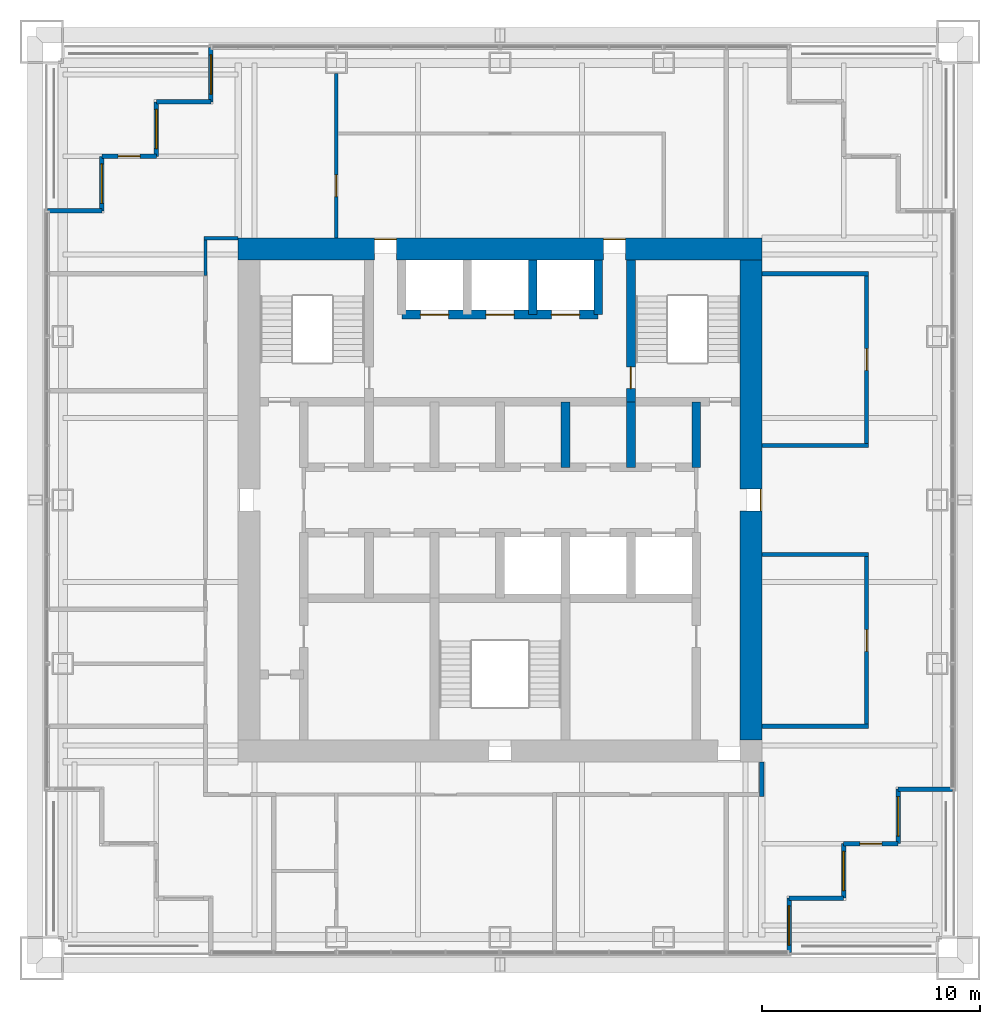
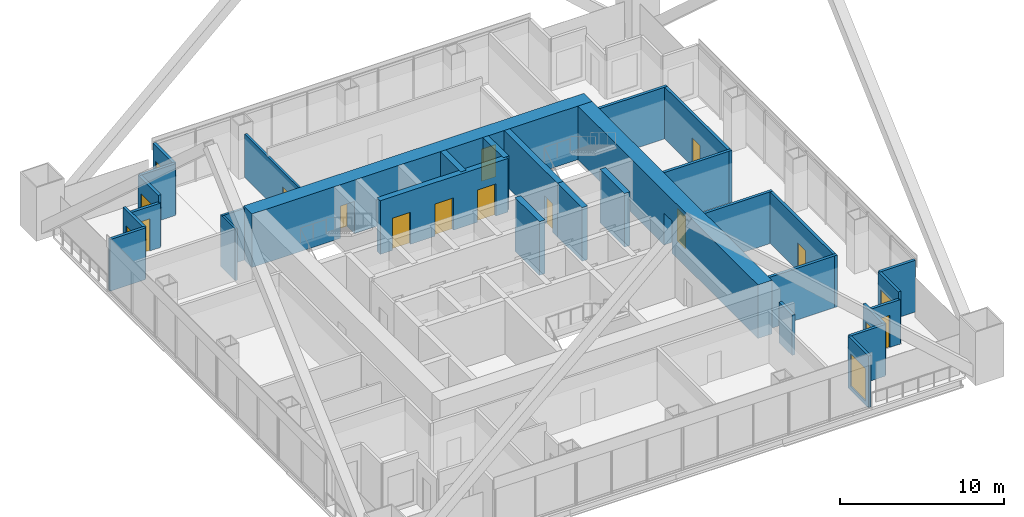
# One storey, part 10 of 13: 31 walls, 12 doors, 6 windows, 18 openings.
"""IFC4 building model written with IfcOpenShell, lengths in metres."""

from ifc_helpers import new_model, si_unit, direction, frame, frame_2d, origin, place, context, subcontext, project, spatial, rectangle, extrude, material, layer, layer_set, type_object, element, fill, save


model = new_model("IFC4")

# Units and contexts
model_context = context("Model", 3, precision=1e-05, world=origin(), true_north=direction((0.0, 1.0)))
body_context = subcontext(model_context, "Body", "Model", "MODEL_VIEW")
ifc_project = project(units=[si_unit("LENGTHUNIT", "METRE"), si_unit("AREAUNIT", "SQUARE_METRE"), si_unit("VOLUMEUNIT", "CUBIC_METRE"), si_unit("PLANEANGLEUNIT", "RADIAN"), si_unit("MASSUNIT", "GRAM", prefix="KILO")], contexts=[model_context])

# Site, building, storey
site_placement = place(None, origin())
site = spatial("IfcSite", under=ifc_project, at=site_placement, CompositionType="ELEMENT")
building_placement = place(site_placement, origin())
building = spatial("IfcBuilding", under=site, at=building_placement, Name="Tarangal Relay Tower", CompositionType="ELEMENT")
storey_placement = place(building_placement, frame((0.0, 0.0, 259.89990234375)))
storey = spatial("IfcBuildingStorey", under=building, at=storey_placement, Name="L56", CompositionType="ELEMENT", Elevation=259.89990234375)

# Walls
ifc_material_1 = material(Name="Two layers gypsum board each side on twin steel studs, mineral wool", Category="steel")
ifc_layer_1 = layer(ifc_material_1, 0.199951171875)
ifc_layer_set_1 = layer_set([ifc_layer_1], Name="Acoustic partition 200")
wall_type_1 = type_object("IfcWallType", Name="Acoustic partition 200", PredefinedType="PARTITIONING", material=ifc_layer_set_1)
for number, where, z_axis, x_axis, name in (
    (1, (12.0, -10.375, 0.0), (0.0, 0.0, 1.0), (1.0, 0.0, 0.0), "Partition PT2 L56"),
    (2, (12.0, -2.5, 0.0), (0.0, 0.0, 1.0), (1.0, 0.0, 0.0), "Partition PT2 L56"),
    (3, (12.0, 2.5, 0.0), (0.0, 0.0, 1.0), (1.0, 0.0, 0.0), "Partition PT2 L56"),
    (4, (12.0, 10.375, 0.0), (0.0, 0.0, 1.0), (1.0, 0.0, 0.0), "Partition PT2 L56"),
):
    element("IfcWall", number, at=place(storey_placement, frame(where, z_axis=z_axis, x_axis=x_axis)), inside=storey, type_object=wall_type_1, Name=name, PredefinedType="PARTITIONING", context=body_context, shape_type="SweptSolid", body=[
        extrude(rectangle(XDim=4.89990234375, YDim=0.199951171875, at=frame_2d((2.449951171875, 0.0))), origin(), (0.0, 0.0, 1.0), 3.85009765625),
    ])
wall_1_placement = place(storey_placement, frame((12.0, -13.60009765625, 0.0), z_axis=(0.0, 0.0, 1.0), x_axis=(0.0, 1.0, 0.0)))
element("IfcWall", 5, at=wall_1_placement, inside=storey, type_object=wall_type_1, Name="Partition PT2 L56", PredefinedType="PARTITIONING", context=body_context, shape_type="SweptSolid", body=[
    extrude(rectangle(XDim=1.60009765625, YDim=0.199951171875, at=frame_2d((0.800048828125, 0.0))), origin(), (0.0, 0.0, 1.0), 3.009521484375),
])

# Wall, opening, door
wall_2_placement = place(storey_placement, frame((16.800048828125, -10.47509765625, 0.0), z_axis=(0.0, 0.0, 1.0), x_axis=(0.0, 1.0, 0.0)))
wall_2 = element("IfcWall", 6, at=wall_2_placement, inside=storey, type_object=wall_type_1, Name="Partition PT2 L56", PredefinedType="PARTITIONING", context=body_context, shape_type="SweptSolid", body=[
    extrude(rectangle(XDim=8.0751953125, YDim=0.199951171875, at=frame_2d((4.03759765625, 0.0))), origin(), (0.0, 0.0, 1.0), 3.85009765625),
])
opening_1_placement = place(wall_2_placement, frame((3.53759765625, 0.0, 0.0)))
opening_1 = element("IfcOpeningElement", 7, at=opening_1_placement, cuts=wall_2, Name="Opening D2", PredefinedType="OPENING", context=body_context, shape_type="SweptSolid", body=[
    extrude(rectangle(XDim=1.0, YDim=2.10009765625, at=frame_2d((0.5, 1.050048828125))), frame((0.0, 0.10986328125, 0.0), z_axis=(0.0, -1.0, 0.0), x_axis=(1.0, 0.0, 0.0)), (0.0, 0.0, 1.0), 0.219970703125),
])
ifc_material_2 = material(Name="Hardwood door", Category="wood")
door_type_1 = type_object("IfcDoorType", Name="Door 1000 x 2100", OperationType="SINGLE_SWING_LEFT", PredefinedType="DOOR", material=ifc_material_2)
door_1_placement = place(opening_1_placement, origin())
door_1 = element("IfcDoor", 8, at=door_1_placement, inside=storey, type_object=door_type_1, Name="Door D2 to conference room L56-05", OperationType="SINGLE_SWING_LEFT", OverallHeight=2.10009765625, OverallWidth=1.0, PredefinedType="DOOR", context=body_context, shape_type="SweptSolid", body=[
    extrude(rectangle(XDim=1.0, YDim=2.10009765625, at=frame_2d((0.5, 1.050048828125))), frame((0.0, 0.02490234375, 0.0), z_axis=(0.0, -1.0, 0.0), x_axis=(1.0, 0.0, 0.0)), (0.0, 0.0, 1.0), 0.050048828125),
])
fill(opening_1, door_1)

wall_3_placement = place(storey_placement, frame((16.800048828125, 2.39990234375, 0.0), z_axis=(0.0, 0.0, 1.0), x_axis=(0.0, 1.0, 0.0)))
wall_3 = element("IfcWall", 9, at=wall_3_placement, inside=storey, type_object=wall_type_1, Name="Partition PT2 L56", PredefinedType="PARTITIONING", context=body_context, shape_type="SweptSolid", body=[
    extrude(rectangle(XDim=8.0751953125, YDim=0.199951171875, at=frame_2d((4.03759765625, 0.0))), origin(), (0.0, 0.0, 1.0), 3.85009765625),
])
opening_2_placement = place(wall_3_placement, frame((3.53759765625, 0.0, 0.0)))
opening_2 = element("IfcOpeningElement", 10, at=opening_2_placement, cuts=wall_3, Name="Opening D2", PredefinedType="OPENING", context=body_context, shape_type="SweptSolid", body=[
    extrude(rectangle(XDim=1.0, YDim=2.10009765625, at=frame_2d((0.5, 1.050048828125))), frame((0.0, 0.10986328125, 0.0), z_axis=(0.0, -1.0, 0.0), x_axis=(1.0, 0.0, 0.0)), (0.0, 0.0, 1.0), 0.219970703125),
])
door_2_placement = place(opening_2_placement, origin())
door_2 = element("IfcDoor", 11, at=door_2_placement, inside=storey, type_object=door_type_1, Name="Door D2 to business centre office L56-04", OperationType="SINGLE_SWING_LEFT", OverallHeight=2.10009765625, OverallWidth=1.0, PredefinedType="DOOR", context=body_context, shape_type="SweptSolid", body=[
    extrude(rectangle(XDim=1.0, YDim=2.10009765625, at=frame_2d((0.5, 1.050048828125))), frame((0.0, 0.02490234375, 0.0), z_axis=(0.0, -1.0, 0.0), x_axis=(1.0, 0.0, 0.0)), (0.0, 0.0, 1.0), 0.050048828125),
])
fill(opening_2, door_2)

# Wall, openings, doors
ifc_material_3 = material(Name="Concrete fc' 60 MPa", Category="concrete")
ifc_layer_2 = layer(ifc_material_3, 0.39990234375)
ifc_layer_set_2 = layer_set([ifc_layer_2], Name="Core inner wall 400")
wall_type_2 = type_object("IfcWallType", Name="Core inner wall 400", PredefinedType="SHEAR", material=ifc_layer_set_2)
wall_4_placement = place(storey_placement, frame((-4.5, 8.5, 0.0), z_axis=(0.0, 0.0, 1.0), x_axis=(1.0, 0.0, 0.0)))
wall_4 = element("IfcWall", 12, at=wall_4_placement, inside=storey, type_object=wall_type_2, Name="Core wall Y85 L56", PredefinedType="SHEAR", context=body_context, shape_type="SweptSolid", body=[
    extrude(rectangle(XDim=9.0, YDim=0.39990234375, at=frame_2d((4.5, 0.0))), origin(), (0.0, 0.0, 1.0), 4.0),
])
opening_3_placement = place(wall_4_placement, frame((0.85009765625, 0.0, 0.0)))
opening_3 = element("IfcOpeningElement", 13, at=opening_3_placement, cuts=wall_4, Name="Opening LD2", PredefinedType="OPENING", context=body_context, shape_type="SweptSolid", body=[
    extrude(rectangle(XDim=1.300048828125, YDim=2.39990234375, at=frame_2d((0.64990234375, 1.199951171875))), frame((0.0, 0.2099609375, 0.0), z_axis=(0.0, -1.0, 0.0), x_axis=(1.0, 0.0, 0.0)), (0.0, 0.0, 1.0), 0.419921875),
])
opening_4_placement = place(wall_4_placement, frame((6.85009765625, 0.0, 0.0)))
opening_4 = element("IfcOpeningElement", 14, at=opening_4_placement, cuts=wall_4, Name="Opening LD2", PredefinedType="OPENING", context=body_context, shape_type="SweptSolid", body=[
    extrude(rectangle(XDim=1.300048828125, YDim=2.39990234375, at=frame_2d((0.64990234375, 1.199951171875))), frame((0.0, 0.2099609375, 0.0), z_axis=(0.0, -1.0, 0.0), x_axis=(1.0, 0.0, 0.0)), (0.0, 0.0, 1.0), 0.419921875),
])
opening_5_placement = place(wall_4_placement, frame((3.85009765625, 0.0, 0.0)))
opening_5 = element("IfcOpeningElement", 15, at=opening_5_placement, cuts=wall_4, Name="Opening LD2", PredefinedType="OPENING", context=body_context, shape_type="SweptSolid", body=[
    extrude(rectangle(XDim=1.300048828125, YDim=2.39990234375, at=frame_2d((0.64990234375, 1.199951171875))), frame((0.0, 0.2099609375, 0.0), z_axis=(0.0, -1.0, 0.0), x_axis=(1.0, 0.0, 0.0)), (0.0, 0.0, 1.0), 0.419921875),
])
ifc_material_4 = material(Name="Steel door with hardwood frame", Category="steel")
door_type_2 = type_object("IfcDoorType", Name="Lift landing door 1300 x 2400", OperationType="SLIDING_TO_LEFT", PredefinedType="DOOR", material=ifc_material_4)
door_3_placement = place(opening_3_placement, origin())
door_3 = element("IfcDoor", 16, at=door_3_placement, inside=storey, type_object=door_type_2, Name="Lift FF1 landing door L56", OperationType="SLIDING_TO_LEFT", OverallHeight=2.39990234375, OverallWidth=1.300048828125, PredefinedType="DOOR", context=body_context, shape_type="SweptSolid", body=[
    extrude(rectangle(XDim=1.300048828125, YDim=2.39990234375, at=frame_2d((0.64990234375, 1.199951171875))), frame((0.0, 0.02490234375, 0.0), z_axis=(0.0, -1.0, 0.0), x_axis=(1.0, 0.0, 0.0)), (0.0, 0.0, 1.0), 0.050048828125),
])
fill(opening_3, door_3)
door_4_placement = place(opening_4_placement, origin())
door_4 = element("IfcDoor", 17, at=door_4_placement, inside=storey, type_object=door_type_2, Name="Lift FF2 landing door L56", OperationType="SLIDING_TO_LEFT", OverallHeight=2.39990234375, OverallWidth=1.300048828125, PredefinedType="DOOR", context=body_context, shape_type="SweptSolid", body=[
    extrude(rectangle(XDim=1.300048828125, YDim=2.39990234375, at=frame_2d((0.64990234375, 1.199951171875))), frame((0.0, 0.02490234375, 0.0), z_axis=(0.0, -1.0, 0.0), x_axis=(1.0, 0.0, 0.0)), (0.0, 0.0, 1.0), 0.050048828125),
])
fill(opening_4, door_4)
door_5_placement = place(opening_5_placement, origin())
door_5 = element("IfcDoor", 18, at=door_5_placement, inside=storey, type_object=door_type_2, Name="Lift SV1 landing door L56", OperationType="SLIDING_TO_LEFT", OverallHeight=2.39990234375, OverallWidth=1.300048828125, PredefinedType="DOOR", context=body_context, shape_type="SweptSolid", body=[
    extrude(rectangle(XDim=1.300048828125, YDim=2.39990234375, at=frame_2d((0.64990234375, 1.199951171875))), frame((0.0, 0.02490234375, 0.0), z_axis=(0.0, -1.0, 0.0), x_axis=(1.0, 0.0, 0.0)), (0.0, 0.0, 1.0), 0.050048828125),
])
fill(opening_5, door_5)

# Walls
for number, where, z_axis, x_axis, name in (
    (19, (9.0, 1.5, 0.0), (0.0, 0.0, 1.0), (0.0, 1.0, 0.0), "Core wall X9N L56"),
    (20, (3.0, 1.5, 0.0), (0.0, 0.0, 1.0), (0.0, 1.0, 0.0), "Core wall X3N L56"),
    (21, (6.0, 1.5, 0.0), (0.0, 0.0, 1.0), (0.0, 1.0, 0.0), "Core wall X6N L56"),
):
    element("IfcWall", number, at=place(storey_placement, frame(where, z_axis=z_axis, x_axis=x_axis)), inside=storey, type_object=wall_type_2, Name=name, PredefinedType="SHEAR", context=body_context, shape_type="SweptSolid", body=[
        extrude(rectangle(XDim=3.0, YDim=0.39990234375, at=frame_2d((1.5, 0.0))), origin(), (0.0, 0.0, 1.0), 4.0),
    ])

# Wall, opening, door
wall_5_placement = place(storey_placement, frame((6.0, 4.5, 0.0), z_axis=(0.0, 0.0, 1.0), x_axis=(0.0, 1.0, 0.0)))
wall_5 = element("IfcWall", 22, at=wall_5_placement, inside=storey, type_object=wall_type_2, Name="Core wall X6 L56", PredefinedType="SHEAR", context=body_context, shape_type="SweptSolid", body=[
    extrude(rectangle(XDim=6.5, YDim=0.39990234375, at=frame_2d((3.25, 0.0))), origin(), (0.0, 0.0, 1.0), 4.0),
])
opening_6_placement = place(wall_5_placement, frame((0.60009765625, 0.0, 0.0)))
opening_6 = element("IfcOpeningElement", 23, at=opening_6_placement, cuts=wall_5, Name="Opening FD1", PredefinedType="OPENING", context=body_context, shape_type="SweptSolid", body=[
    extrude(rectangle(XDim=1.0, YDim=2.10009765625, at=frame_2d((0.5, 1.050048828125))), frame((0.0, 0.2099609375, 0.0), z_axis=(0.0, -1.0, 0.0), x_axis=(1.0, 0.0, 0.0)), (0.0, 0.0, 1.0), 0.419921875),
])
door_type_3 = type_object("IfcDoorType", Name="Fire door 1000 x 2100", OperationType="SINGLE_SWING_LEFT", PredefinedType="DOOR", material=ifc_material_4)
door_6_placement = place(opening_6_placement, origin())
door_6 = element("IfcDoor", 24, at=door_6_placement, inside=storey, type_object=door_type_3, Name="Stair ST-B door from fire-fighting lobby L56", OperationType="SINGLE_SWING_LEFT", OverallHeight=2.10009765625, OverallWidth=1.0, PredefinedType="DOOR", context=body_context, shape_type="SweptSolid", body=[
    extrude(rectangle(XDim=1.0, YDim=2.10009765625, at=frame_2d((0.5, 1.050048828125))), frame((0.0, 0.02490234375, 0.0), z_axis=(0.0, -1.0, 0.0), x_axis=(1.0, 0.0, 0.0)), (0.0, 0.0, 1.0), 0.050048828125),
])
fill(opening_6, door_6)

# Walls
for number, where, z_axis, x_axis, name in (
    (25, (4.5, 8.5, 0.0), (0.0, 0.0, 1.0), (0.0, 1.0, 0.0), "Core wall X45 L56"),
    (26, (1.5, 8.5, 0.0), (0.0, 0.0, 1.0), (0.0, 1.0, 0.0), "Core wall X15 L56"),
):
    element("IfcWall", number, at=place(storey_placement, frame(where, z_axis=z_axis, x_axis=x_axis)), inside=storey, type_object=wall_type_2, Name=name, PredefinedType="SHEAR", context=body_context, shape_type="SweptSolid", body=[
        extrude(rectangle(XDim=2.5, YDim=0.39990234375, at=frame_2d((1.25, 0.0))), origin(), (0.0, 0.0, 1.0), 4.0),
    ])

# Wall, openings, doors
ifc_layer_3 = layer(ifc_material_3, 1.0)
ifc_layer_set_3 = layer_set([ifc_layer_3], Name="Core wall 1000")
wall_type_3 = type_object("IfcWallType", Name="Core wall 1000", PredefinedType="SHEAR", material=ifc_layer_set_3)
wall_6_placement = place(storey_placement, frame((-12.0, 11.5, 0.0), z_axis=(0.0, 0.0, 1.0), x_axis=(1.0, 0.0, 0.0)))
wall_6 = element("IfcWall", 27, at=wall_6_placement, inside=storey, type_object=wall_type_3, Name="Core wall N L56", PredefinedType="SHEAR", context=body_context, shape_type="SweptSolid", body=[
    extrude(rectangle(XDim=24.0, YDim=1.0, at=frame_2d((12.0, 0.0))), origin(), (0.0, 0.0, 1.0), 4.0),
])
opening_7_placement = place(wall_6_placement, frame((6.25, 0.0, 0.0)))
opening_7 = element("IfcOpeningElement", 28, at=opening_7_placement, cuts=wall_6, Name="Opening FD3", PredefinedType="OPENING", context=body_context, shape_type="SweptSolid", body=[
    extrude(rectangle(XDim=1.0, YDim=2.39990234375, at=frame_2d((0.5, 1.199951171875))), frame((0.0, 0.510009765625, 0.0), z_axis=(0.0, -1.0, 0.0), x_axis=(1.0, 0.0, 0.0)), (0.0, 0.0, 1.0), 1.02001953125),
])
opening_8_placement = place(wall_6_placement, frame((16.75, 0.0, 0.0)))
opening_8 = element("IfcOpeningElement", 29, at=opening_8_placement, cuts=wall_6, Name="Opening FD3", PredefinedType="OPENING", context=body_context, shape_type="SweptSolid", body=[
    extrude(rectangle(XDim=1.0, YDim=2.39990234375, at=frame_2d((0.5, 1.199951171875))), frame((0.0, 0.510009765625, 0.0), z_axis=(0.0, -1.0, 0.0), x_axis=(1.0, 0.0, 0.0)), (0.0, 0.0, 1.0), 1.02001953125),
])
door_type_4 = type_object("IfcDoorType", Name="Fire door 1000 x 2400 core entry", OperationType="SINGLE_SWING_RIGHT", PredefinedType="DOOR", material=ifc_material_4)
door_7_placement = place(opening_7_placement, origin())
door_7 = element("IfcDoor", 30, at=door_7_placement, inside=storey, type_object=door_type_4, Name="Core entry door north west L56", OperationType="SINGLE_SWING_RIGHT", OverallHeight=2.39990234375, OverallWidth=1.0, PredefinedType="DOOR", context=body_context, shape_type="SweptSolid", body=[
    extrude(rectangle(XDim=1.0, YDim=2.39990234375, at=frame_2d((0.5, 1.199951171875))), frame((0.0, 0.48486328125, 0.0), z_axis=(0.0, -1.0, 0.0), x_axis=(1.0, 0.0, 0.0)), (0.0, 0.0, 1.0), 0.050048828125),
])
fill(opening_7, door_7)
door_8_placement = place(opening_8_placement, origin())
door_8 = element("IfcDoor", 31, at=door_8_placement, inside=storey, type_object=door_type_4, Name="Core entry door north east L56", OperationType="SINGLE_SWING_RIGHT", OverallHeight=2.39990234375, OverallWidth=1.0, PredefinedType="DOOR", context=body_context, shape_type="SweptSolid", body=[
    extrude(rectangle(XDim=1.0, YDim=2.39990234375, at=frame_2d((0.5, 1.199951171875))), frame((0.0, 0.48486328125, 0.0), z_axis=(0.0, -1.0, 0.0), x_axis=(1.0, 0.0, 0.0)), (0.0, 0.0, 1.0), 0.050048828125),
])
fill(opening_8, door_8)

# Wall, opening, door
wall_7_placement = place(storey_placement, frame((11.5, 11.0, 0.0), z_axis=(0.0, 0.0, 1.0), x_axis=(0.0, -1.0, 0.0)))
wall_7 = element("IfcWall", 32, at=wall_7_placement, inside=storey, type_object=wall_type_3, Name="Core wall E L56", PredefinedType="SHEAR", context=body_context, shape_type="SweptSolid", body=[
    extrude(rectangle(XDim=22.0, YDim=1.0, at=frame_2d((11.0, 0.0))), origin(), (0.0, 0.0, 1.0), 4.0),
])
opening_9_placement = place(wall_7_placement, frame((10.5, 0.0, 0.0)))
opening_9 = element("IfcOpeningElement", 33, at=opening_9_placement, cuts=wall_7, Name="Opening FD3", PredefinedType="OPENING", context=body_context, shape_type="SweptSolid", body=[
    extrude(rectangle(XDim=1.0, YDim=2.39990234375, at=frame_2d((0.5, 1.199951171875))), frame((0.0, 0.510009765625, 0.0), z_axis=(0.0, -1.0, 0.0), x_axis=(1.0, 0.0, 0.0)), (0.0, 0.0, 1.0), 1.02001953125),
])
door_9_placement = place(opening_9_placement, origin())
door_9 = element("IfcDoor", 34, at=door_9_placement, inside=storey, type_object=door_type_4, Name="Core entry door east L56", OperationType="SINGLE_SWING_RIGHT", OverallHeight=2.39990234375, OverallWidth=1.0, PredefinedType="DOOR", context=body_context, shape_type="SweptSolid", body=[
    extrude(rectangle(XDim=1.0, YDim=2.39990234375, at=frame_2d((0.5, 1.199951171875))), frame((0.0, 0.48486328125, 0.0), z_axis=(0.0, -1.0, 0.0), x_axis=(1.0, 0.0, 0.0)), (0.0, 0.0, 1.0), 0.050048828125),
])
fill(opening_9, door_9)

# Wall
ifc_material_5 = material(Name="Black metal clad insulated wall", Category="steel")
ifc_layer_4 = layer(ifc_material_5, 0.199951171875)
ifc_layer_set_4 = layer_set([ifc_layer_4], Name="Corner wall metal clad 200")
wall_type_4 = type_object("IfcWallType", Name="Corner wall metal clad 200", PredefinedType="SOLIDWALL", material=ifc_layer_set_4)
wall_8_placement = place(storey_placement, frame((20.75, -13.25, 0.0), z_axis=(0.0, 0.0, 1.0), x_axis=(-1.0, 0.0, 0.0)))
element("IfcWall", 35, at=wall_8_placement, inside=storey, type_object=wall_type_4, Name="Facade wall E facade L56", PredefinedType="SOLIDWALL", context=body_context, shape_type="SweptSolid", body=[
    extrude(rectangle(XDim=2.5, YDim=0.199951171875, at=frame_2d((1.25, 0.0))), origin(), (0.0, 0.0, 1.0), 3.85009765625),
])

# Wall, opening, window
wall_9_placement = place(storey_placement, frame((18.25, -13.25, 0.0), z_axis=(0.0, 0.0, 1.0), x_axis=(0.0, -1.0, 0.0)))
wall_9 = element("IfcWall", 36, at=wall_9_placement, inside=storey, type_object=wall_type_4, Name="Facade wall E facade L56", PredefinedType="SOLIDWALL", context=body_context, shape_type="SweptSolid", body=[
    extrude(rectangle(XDim=2.5, YDim=0.199951171875, at=frame_2d((1.25, 0.0))), origin(), (0.0, 0.0, 1.0), 3.85009765625),
])
opening_10_placement = place(wall_9_placement, frame((0.35009765625, 0.0, 0.300048828125)))
opening_10 = element("IfcOpeningElement", 37, at=opening_10_placement, cuts=wall_9, Name="Opening WN2", PredefinedType="OPENING", context=body_context, shape_type="SweptSolid", body=[
    extrude(rectangle(XDim=1.800048828125, YDim=2.39990234375, at=frame_2d((0.89990234375, 1.199951171875))), frame((0.0, 0.10986328125, 0.0), z_axis=(0.0, -1.0, 0.0), x_axis=(1.0, 0.0, 0.0)), (0.0, 0.0, 1.0), 0.219970703125),
])
ifc_material_6 = material(Name="Dark tinted double glazing in black aluminium frame", Category="aluminium")
window_type = type_object("IfcWindowType", Name="Corner window 1800 x 2400", PartitioningType="SINGLE_PANEL", PredefinedType="WINDOW", material=ifc_material_6)
window_1_placement = place(opening_10_placement, origin())
window_1 = element("IfcWindow", 38, at=window_1_placement, inside=storey, type_object=window_type, Name="Corner window WN2 E facade L56", OverallHeight=2.39990234375, OverallWidth=1.800048828125, PartitioningType="SINGLE_PANEL", PredefinedType="WINDOW", context=body_context, shape_type="SweptSolid", body=[
    extrude(rectangle(XDim=1.800048828125, YDim=2.39990234375, at=frame_2d((0.89990234375, 1.199951171875))), frame((0.0, 0.030029296875, 0.0), z_axis=(0.0, -1.0, 0.0), x_axis=(1.0, 0.0, 0.0)), (0.0, 0.0, 1.0), 0.06005859375),
])
fill(opening_10, window_1)

# Wall, opening, door
wall_10_placement = place(storey_placement, frame((18.25, -15.75, 0.0), z_axis=(0.0, 0.0, 1.0), x_axis=(-1.0, 0.0, 0.0)))
wall_10 = element("IfcWall", 39, at=wall_10_placement, inside=storey, type_object=wall_type_4, Name="Facade wall E facade L56", PredefinedType="SOLIDWALL", context=body_context, shape_type="SweptSolid", body=[
    extrude(rectangle(XDim=2.5, YDim=0.199951171875, at=frame_2d((1.25, 0.0))), origin(), (0.0, 0.0, 1.0), 3.316650390625),
])
opening_11_placement = place(wall_10_placement, frame((0.75, 0.0, 0.0)))
opening_11 = element("IfcOpeningElement", 40, at=opening_11_placement, cuts=wall_10, Name="Opening TD1", PredefinedType="OPENING", context=body_context, shape_type="SweptSolid", body=[
    extrude(rectangle(XDim=1.0, YDim=2.39990234375, at=frame_2d((0.5, 1.199951171875))), frame((0.0, 0.10986328125, 0.0), z_axis=(0.0, -1.0, 0.0), x_axis=(1.0, 0.0, 0.0)), (0.0, 0.0, 1.0), 0.219970703125),
])
ifc_material_7 = material(Name="Aluminium glazed door", Category="aluminium")
door_type_5 = type_object("IfcDoorType", Name="Terrace door 1000 x 2400", OperationType="SINGLE_SWING_RIGHT", PredefinedType="DOOR", material=ifc_material_7)
door_10_placement = place(opening_11_placement, origin())
door_10 = element("IfcDoor", 41, at=door_10_placement, inside=storey, type_object=door_type_5, Name="Terrace door TD1 SE L56", OperationType="SINGLE_SWING_RIGHT", OverallHeight=2.39990234375, OverallWidth=1.0, PredefinedType="DOOR", context=body_context, shape_type="SweptSolid", body=[
    extrude(rectangle(XDim=1.0, YDim=2.39990234375, at=frame_2d((0.5, 1.199951171875))), frame((0.0, 0.02490234375, 0.0), z_axis=(0.0, -1.0, 0.0), x_axis=(1.0, 0.0, 0.0)), (0.0, 0.0, 1.0), 0.050048828125),
])
fill(opening_11, door_10)

# Wall, opening, window
wall_11_placement = place(storey_placement, frame((15.75, -15.75, 0.0), z_axis=(0.0, 0.0, 1.0), x_axis=(0.0, -1.0, 0.0)))
wall_11 = element("IfcWall", 42, at=wall_11_placement, inside=storey, type_object=wall_type_4, Name="Facade wall E facade L56", PredefinedType="SOLIDWALL", context=body_context, shape_type="SweptSolid", body=[
    extrude(rectangle(XDim=2.5, YDim=0.199951171875, at=frame_2d((1.25, 0.0))), origin(), (0.0, 0.0, 1.0), 3.85009765625),
])
opening_12_placement = place(wall_11_placement, frame((0.35009765625, 0.0, 0.300048828125)))
opening_12 = element("IfcOpeningElement", 43, at=opening_12_placement, cuts=wall_11, Name="Opening WN2", PredefinedType="OPENING", context=body_context, shape_type="SweptSolid", body=[
    extrude(rectangle(XDim=1.800048828125, YDim=2.39990234375, at=frame_2d((0.89990234375, 1.199951171875))), frame((0.0, 0.10986328125, 0.0), z_axis=(0.0, -1.0, 0.0), x_axis=(1.0, 0.0, 0.0)), (0.0, 0.0, 1.0), 0.219970703125),
])
window_2_placement = place(opening_12_placement, origin())
window_2 = element("IfcWindow", 44, at=window_2_placement, inside=storey, type_object=window_type, Name="Corner window WN2 E facade L56", OverallHeight=2.39990234375, OverallWidth=1.800048828125, PartitioningType="SINGLE_PANEL", PredefinedType="WINDOW", context=body_context, shape_type="SweptSolid", body=[
    extrude(rectangle(XDim=1.800048828125, YDim=2.39990234375, at=frame_2d((0.89990234375, 1.199951171875))), frame((0.0, 0.030029296875, 0.0), z_axis=(0.0, -1.0, 0.0), x_axis=(1.0, 0.0, 0.0)), (0.0, 0.0, 1.0), 0.06005859375),
])
fill(opening_12, window_2)

# Wall
wall_12_placement = place(storey_placement, frame((15.75, -18.25, 0.0), z_axis=(0.0, 0.0, 1.0), x_axis=(-1.0, 0.0, 0.0)))
element("IfcWall", 45, at=wall_12_placement, inside=storey, type_object=wall_type_4, Name="Facade wall E facade L56", PredefinedType="SOLIDWALL", context=body_context, shape_type="SweptSolid", body=[
    extrude(rectangle(XDim=2.5, YDim=0.199951171875, at=frame_2d((1.25, 0.0))), origin(), (0.0, 0.0, 1.0), 3.85009765625),
])

# Wall, opening, window
wall_13_placement = place(storey_placement, frame((13.25, -18.25, 0.0), z_axis=(0.0, 0.0, 1.0), x_axis=(0.0, -1.0, 0.0)))
wall_13 = element("IfcWall", 46, at=wall_13_placement, inside=storey, type_object=wall_type_4, Name="Facade wall E facade L56", PredefinedType="SOLIDWALL", context=body_context, shape_type="SweptSolid", body=[
    extrude(rectangle(XDim=2.5, YDim=0.199951171875, at=frame_2d((1.25, 0.0))), origin(), (0.0, 0.0, 1.0), 3.85009765625),
])
opening_13_placement = place(wall_13_placement, frame((0.35009765625, 0.0, 0.300048828125)))
opening_13 = element("IfcOpeningElement", 47, at=opening_13_placement, cuts=wall_13, Name="Opening WN2", PredefinedType="OPENING", context=body_context, shape_type="SweptSolid", body=[
    extrude(rectangle(XDim=1.800048828125, YDim=2.39990234375, at=frame_2d((0.89990234375, 1.199951171875))), frame((0.0, 0.10986328125, 0.0), z_axis=(0.0, -1.0, 0.0), x_axis=(1.0, 0.0, 0.0)), (0.0, 0.0, 1.0), 0.219970703125),
])
window_3_placement = place(opening_13_placement, origin())
window_3 = element("IfcWindow", 48, at=window_3_placement, inside=storey, type_object=window_type, Name="Corner window WN2 E facade L56", OverallHeight=2.39990234375, OverallWidth=1.800048828125, PartitioningType="SINGLE_PANEL", PredefinedType="WINDOW", context=body_context, shape_type="SweptSolid", body=[
    extrude(rectangle(XDim=1.800048828125, YDim=2.39990234375, at=frame_2d((0.89990234375, 1.199951171875))), frame((0.0, 0.030029296875, 0.0), z_axis=(0.0, -1.0, 0.0), x_axis=(1.0, 0.0, 0.0)), (0.0, 0.0, 1.0), 0.06005859375),
])
fill(opening_13, window_3)

# Wall
wall_14_placement = place(storey_placement, frame((-20.75, 13.25, 0.0), z_axis=(0.0, 0.0, 1.0), x_axis=(1.0, 0.0, 0.0)))
element("IfcWall", 49, at=wall_14_placement, inside=storey, type_object=wall_type_4, Name="Facade wall W facade L56", PredefinedType="SOLIDWALL", context=body_context, shape_type="SweptSolid", body=[
    extrude(rectangle(XDim=2.5, YDim=0.199951171875, at=frame_2d((1.25, 0.0))), origin(), (0.0, 0.0, 1.0), 3.85009765625),
])

# Wall, opening, window
wall_15_placement = place(storey_placement, frame((-18.25, 13.25, 0.0), z_axis=(0.0, 0.0, 1.0), x_axis=(0.0, 1.0, 0.0)))
wall_15 = element("IfcWall", 50, at=wall_15_placement, inside=storey, type_object=wall_type_4, Name="Facade wall W facade L56", PredefinedType="SOLIDWALL", context=body_context, shape_type="SweptSolid", body=[
    extrude(rectangle(XDim=2.5, YDim=0.199951171875, at=frame_2d((1.25, 0.0))), origin(), (0.0, 0.0, 1.0), 3.85009765625),
])
opening_14_placement = place(wall_15_placement, frame((0.35009765625, 0.0, 0.300048828125)))
opening_14 = element("IfcOpeningElement", 51, at=opening_14_placement, cuts=wall_15, Name="Opening WN2", PredefinedType="OPENING", context=body_context, shape_type="SweptSolid", body=[
    extrude(rectangle(XDim=1.800048828125, YDim=2.39990234375, at=frame_2d((0.89990234375, 1.199951171875))), frame((0.0, 0.10986328125, 0.0), z_axis=(0.0, -1.0, 0.0), x_axis=(1.0, 0.0, 0.0)), (0.0, 0.0, 1.0), 0.219970703125),
])
window_4_placement = place(opening_14_placement, origin())
window_4 = element("IfcWindow", 52, at=window_4_placement, inside=storey, type_object=window_type, Name="Corner window WN2 W facade L56", OverallHeight=2.39990234375, OverallWidth=1.800048828125, PartitioningType="SINGLE_PANEL", PredefinedType="WINDOW", context=body_context, shape_type="SweptSolid", body=[
    extrude(rectangle(XDim=1.800048828125, YDim=2.39990234375, at=frame_2d((0.89990234375, 1.199951171875))), frame((0.0, 0.030029296875, 0.0), z_axis=(0.0, -1.0, 0.0), x_axis=(1.0, 0.0, 0.0)), (0.0, 0.0, 1.0), 0.06005859375),
])
fill(opening_14, window_4)

# Wall, opening, door
wall_16_placement = place(storey_placement, frame((-18.25, 15.75, 0.0), z_axis=(0.0, 0.0, 1.0), x_axis=(1.0, 0.0, 0.0)))
wall_16 = element("IfcWall", 53, at=wall_16_placement, inside=storey, type_object=wall_type_4, Name="Facade wall W facade L56", PredefinedType="SOLIDWALL", context=body_context, shape_type="SweptSolid", body=[
    extrude(rectangle(XDim=2.5, YDim=0.199951171875, at=frame_2d((1.25, 0.0))), origin(), (0.0, 0.0, 1.0), 3.316650390625),
])
opening_15_placement = place(wall_16_placement, frame((0.75, 0.0, 0.0)))
opening_15 = element("IfcOpeningElement", 54, at=opening_15_placement, cuts=wall_16, Name="Opening TD1", PredefinedType="OPENING", context=body_context, shape_type="SweptSolid", body=[
    extrude(rectangle(XDim=1.0, YDim=2.39990234375, at=frame_2d((0.5, 1.199951171875))), frame((0.0, 0.10986328125, 0.0), z_axis=(0.0, -1.0, 0.0), x_axis=(1.0, 0.0, 0.0)), (0.0, 0.0, 1.0), 0.219970703125),
])
door_11_placement = place(opening_15_placement, origin())
door_11 = element("IfcDoor", 55, at=door_11_placement, inside=storey, type_object=door_type_5, Name="Terrace door TD1 NW L56", OperationType="SINGLE_SWING_RIGHT", OverallHeight=2.39990234375, OverallWidth=1.0, PredefinedType="DOOR", context=body_context, shape_type="SweptSolid", body=[
    extrude(rectangle(XDim=1.0, YDim=2.39990234375, at=frame_2d((0.5, 1.199951171875))), frame((0.0, 0.02490234375, 0.0), z_axis=(0.0, -1.0, 0.0), x_axis=(1.0, 0.0, 0.0)), (0.0, 0.0, 1.0), 0.050048828125),
])
fill(opening_15, door_11)

# Wall, opening, window
wall_17_placement = place(storey_placement, frame((-15.75, 15.75, 0.0), z_axis=(0.0, 0.0, 1.0), x_axis=(0.0, 1.0, 0.0)))
wall_17 = element("IfcWall", 56, at=wall_17_placement, inside=storey, type_object=wall_type_4, Name="Facade wall W facade L56", PredefinedType="SOLIDWALL", context=body_context, shape_type="SweptSolid", body=[
    extrude(rectangle(XDim=2.5, YDim=0.199951171875, at=frame_2d((1.25, 0.0))), origin(), (0.0, 0.0, 1.0), 3.85009765625),
])
opening_16_placement = place(wall_17_placement, frame((0.35009765625, 0.0, 0.300048828125)))
opening_16 = element("IfcOpeningElement", 57, at=opening_16_placement, cuts=wall_17, Name="Opening WN2", PredefinedType="OPENING", context=body_context, shape_type="SweptSolid", body=[
    extrude(rectangle(XDim=1.800048828125, YDim=2.39990234375, at=frame_2d((0.89990234375, 1.199951171875))), frame((0.0, 0.10986328125, 0.0), z_axis=(0.0, -1.0, 0.0), x_axis=(1.0, 0.0, 0.0)), (0.0, 0.0, 1.0), 0.219970703125),
])
window_5_placement = place(opening_16_placement, origin())
window_5 = element("IfcWindow", 58, at=window_5_placement, inside=storey, type_object=window_type, Name="Corner window WN2 W facade L56", OverallHeight=2.39990234375, OverallWidth=1.800048828125, PartitioningType="SINGLE_PANEL", PredefinedType="WINDOW", context=body_context, shape_type="SweptSolid", body=[
    extrude(rectangle(XDim=1.800048828125, YDim=2.39990234375, at=frame_2d((0.89990234375, 1.199951171875))), frame((0.0, 0.030029296875, 0.0), z_axis=(0.0, -1.0, 0.0), x_axis=(1.0, 0.0, 0.0)), (0.0, 0.0, 1.0), 0.06005859375),
])
fill(opening_16, window_5)

# Wall
wall_18_placement = place(storey_placement, frame((-15.75, 18.25, 0.0), z_axis=(0.0, 0.0, 1.0), x_axis=(1.0, 0.0, 0.0)))
element("IfcWall", 59, at=wall_18_placement, inside=storey, type_object=wall_type_4, Name="Facade wall W facade L56", PredefinedType="SOLIDWALL", context=body_context, shape_type="SweptSolid", body=[
    extrude(rectangle(XDim=2.5, YDim=0.199951171875, at=frame_2d((1.25, 0.0))), origin(), (0.0, 0.0, 1.0), 3.85009765625),
])

# Wall, opening, window
wall_19_placement = place(storey_placement, frame((-13.25, 18.25, 0.0), z_axis=(0.0, 0.0, 1.0), x_axis=(0.0, 1.0, 0.0)))
wall_19 = element("IfcWall", 60, at=wall_19_placement, inside=storey, type_object=wall_type_4, Name="Facade wall W facade L56", PredefinedType="SOLIDWALL", context=body_context, shape_type="SweptSolid", body=[
    extrude(rectangle(XDim=2.5, YDim=0.199951171875, at=frame_2d((1.25, 0.0))), origin(), (0.0, 0.0, 1.0), 3.85009765625),
])
opening_17_placement = place(wall_19_placement, frame((0.35009765625, 0.0, 0.300048828125)))
opening_17 = element("IfcOpeningElement", 61, at=opening_17_placement, cuts=wall_19, Name="Opening WN2", PredefinedType="OPENING", context=body_context, shape_type="SweptSolid", body=[
    extrude(rectangle(XDim=1.800048828125, YDim=2.39990234375, at=frame_2d((0.89990234375, 1.199951171875))), frame((0.0, 0.10986328125, 0.0), z_axis=(0.0, -1.0, 0.0), x_axis=(1.0, 0.0, 0.0)), (0.0, 0.0, 1.0), 0.219970703125),
])
window_6_placement = place(opening_17_placement, origin())
window_6 = element("IfcWindow", 62, at=window_6_placement, inside=storey, type_object=window_type, Name="Corner window WN2 W facade L56", OverallHeight=2.39990234375, OverallWidth=1.800048828125, PartitioningType="SINGLE_PANEL", PredefinedType="WINDOW", context=body_context, shape_type="SweptSolid", body=[
    extrude(rectangle(XDim=1.800048828125, YDim=2.39990234375, at=frame_2d((0.89990234375, 1.199951171875))), frame((0.0, 0.030029296875, 0.0), z_axis=(0.0, -1.0, 0.0), x_axis=(1.0, 0.0, 0.0)), (0.0, 0.0, 1.0), 0.06005859375),
])
fill(opening_17, window_6)

# Walls
ifc_material_8 = material(Name="Gypsum board on steel studs", Category="steel")
ifc_layer_5 = layer(ifc_material_8, 0.14990234375)
ifc_layer_set_5 = layer_set([ifc_layer_5], Name="Partition 150")
wall_type_5 = type_object("IfcWallType", Name="Partition 150", PredefinedType="PARTITIONING", material=ifc_layer_set_5)
wall_20_placement = place(storey_placement, frame((-13.574951171875, 12.0, 0.0), z_axis=(0.0, 0.0, 1.0), x_axis=(1.0, 0.0, 0.0)))
element("IfcWall", 63, at=wall_20_placement, inside=storey, type_object=wall_type_5, Name="Partition PT1 L56", PredefinedType="PARTITIONING", context=body_context, shape_type="SweptSolid", body=[
    extrude(rectangle(XDim=1.574951171875, YDim=0.14990234375, at=frame_2d((0.78759765625, 0.0))), origin(), (0.0, 0.0, 1.0), 3.85009765625),
])
wall_21_placement = place(storey_placement, frame((-13.5, 10.300048828125, 0.0), z_axis=(0.0, 0.0, 1.0), x_axis=(0.0, 1.0, 0.0)))
element("IfcWall", 64, at=wall_21_placement, inside=storey, type_object=wall_type_5, Name="Partition PT1 L56", PredefinedType="PARTITIONING", context=body_context, shape_type="SweptSolid", body=[
    extrude(rectangle(XDim=1.77490234375, YDim=0.14990234375, at=frame_2d((0.887451171875, 0.0))), origin(), (0.0, 0.0, 1.0), 3.85009765625),
])

# Wall, opening, door
wall_22_placement = place(storey_placement, frame((-7.5, 12.0, 0.0), z_axis=(0.0, 0.0, 1.0), x_axis=(0.0, 1.0, 0.0)))
wall_22 = element("IfcWall", 65, at=wall_22_placement, inside=storey, type_object=wall_type_5, Name="Partition PT1 L56", PredefinedType="PARTITIONING", context=body_context, shape_type="SweptSolid", body=[
    extrude(rectangle(XDim=7.5400390625, YDim=0.14990234375, at=frame_2d((3.77001953125, 0.0))), origin(), (0.0, 0.0, 1.0), 3.2431640625),
])
opening_18_placement = place(wall_22_placement, frame((1.89990234375, 0.0, 0.0)))
opening_18 = element("IfcOpeningElement", 66, at=opening_18_placement, cuts=wall_22, Name="Opening D2", PredefinedType="OPENING", context=body_context, shape_type="SweptSolid", body=[
    extrude(rectangle(XDim=1.0, YDim=2.10009765625, at=frame_2d((0.5, 1.050048828125))), frame((0.0, 0.0849609375, 0.0), z_axis=(0.0, -1.0, 0.0), x_axis=(1.0, 0.0, 0.0)), (0.0, 0.0, 1.0), 0.169921875),
])
door_12_placement = place(opening_18_placement, origin())
door_12 = element("IfcDoor", 67, at=door_12_placement, inside=storey, type_object=door_type_1, Name="Door D2 to business centre office L56-14", OperationType="SINGLE_SWING_LEFT", OverallHeight=2.10009765625, OverallWidth=1.0, PredefinedType="DOOR", context=body_context, shape_type="SweptSolid", body=[
    extrude(rectangle(XDim=1.0, YDim=2.10009765625, at=frame_2d((0.5, 1.050048828125))), frame((0.0, 0.02490234375, 0.0), z_axis=(0.0, -1.0, 0.0), x_axis=(1.0, 0.0, 0.0)), (0.0, 0.0, 1.0), 0.050048828125),
])
fill(opening_18, door_12)

save(model, "model.ifc")
